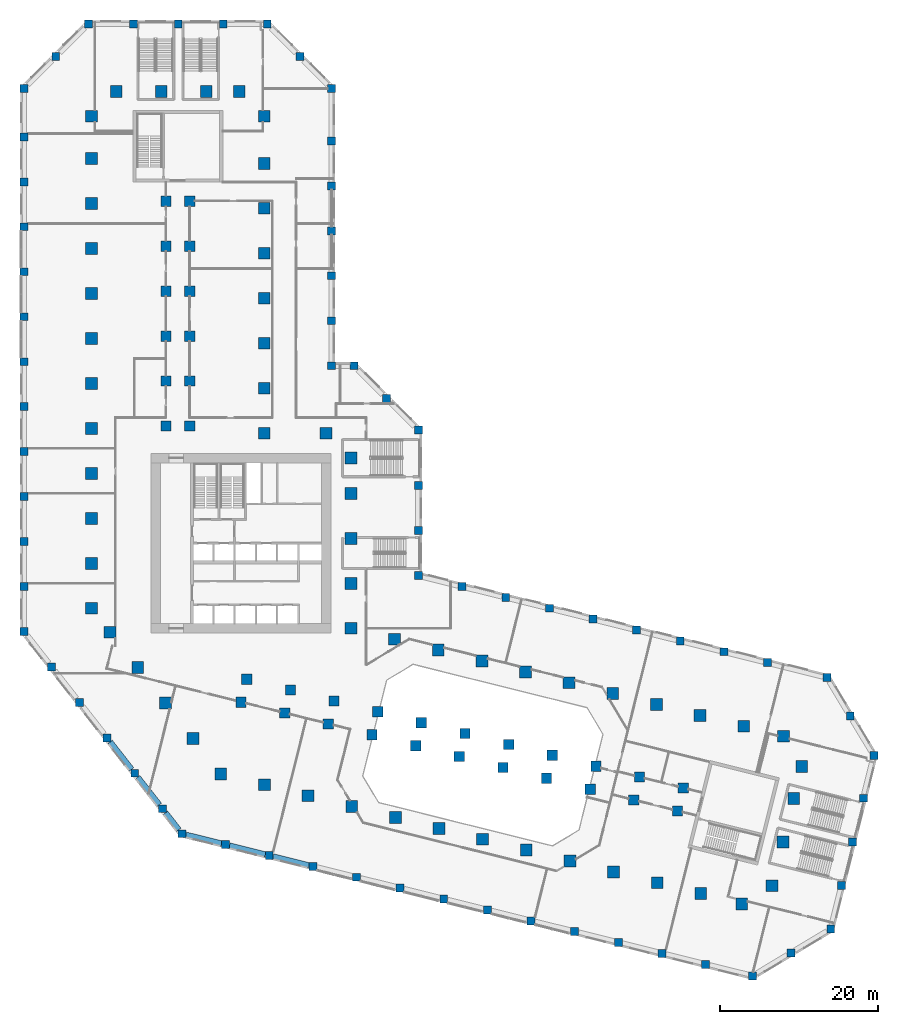
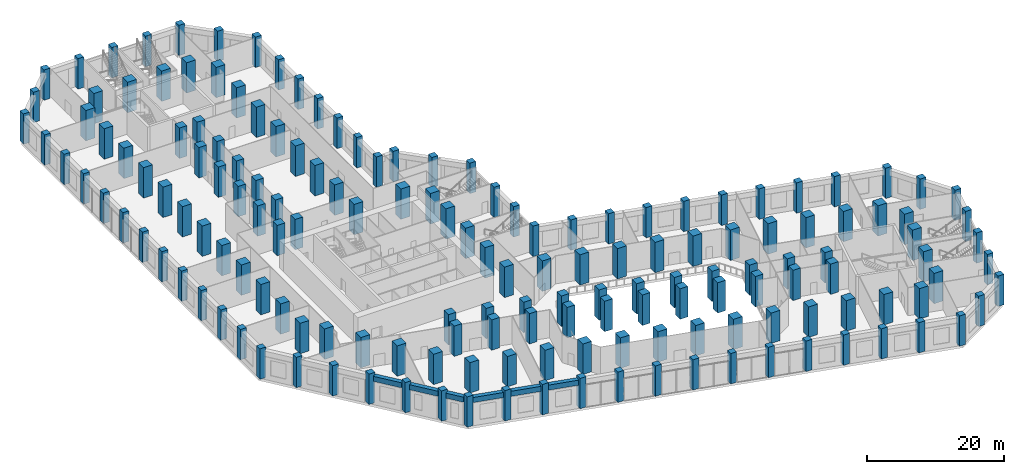
# One storey, part 1 of 23: 163 columns, 6 beams.
"""IFC4 building model written with IfcOpenShell, lengths in metres."""

import ifcopenshell
import ifcopenshell.guid

model = None  # the IFC model being written
_history = None  # IfcOwnerHistory: only IFC2X3 demands one
_inside = {}  # id of a spatial element -> (the spatial element, [elements in it])
_under = {}  # id of a project, library or spatial element -> (it, [spatial elements below it])
_declared = {}  # id of a project -> (the project, [libraries it declares])
_typed = {}  # id of a type object -> (the type object, [elements of that type])
_made_of = {}  # id of a material, layer set ... -> (it, [elements and type objects made of it])


def new_model(schema):
    """Start an empty IFC model of exactly this schema.

    Asked for "IFC4X3", IfcOpenShell would pick the latest addendum, in which some entities
    have other attributes; the version numbers below select the first issue.
    IFC2X3 requires an IfcOwnerHistory on every rooted entity: one is made here for all.
    """
    global model, _history
    if schema == "IFC4X3":
        model = ifcopenshell.file(schema_version=(4, 3, 0, 0))
    else:
        model = ifcopenshell.file(schema=schema)
    _inside.clear()
    _under.clear()
    _declared.clear()
    _typed.clear()
    _made_of.clear()
    _history = None
    if model.schema == "IFC2X3":
        org = make("IfcOrganization", Name="unknown")
        user = make(
            "IfcPersonAndOrganization",
            ThePerson=make("IfcPerson", FamilyName="unknown"),
            TheOrganization=org,
        )
        app = make(
            "IfcApplication",
            ApplicationDeveloper=org,
            Version="unknown",
            ApplicationFullName="unknown",
            ApplicationIdentifier="unknown",
        )
        _history = make(
            "IfcOwnerHistory",
            OwningUser=user,
            OwningApplication=app,
            ChangeAction="ADDED",
            CreationDate=0,
        )
    return model


def make(cls, **values):
    """One entity of the class cls with the attributes given. An attribute that is None is left unset."""
    return model.create_entity(
        cls, **{name: value for name, value in values.items() if value is not None}
    )


def rooted(cls, **values):
    """An entity with a GlobalId (a new one), such as an element, a storey or a relation."""
    return make(cls, GlobalId=ifcopenshell.guid.new(), OwnerHistory=_history, **values)


def si_unit(unit_type, name, prefix=None):
    """IfcSIUnit, for example si_unit("LENGTHUNIT", "METRE", prefix="MILLI")."""
    return make("IfcSIUnit", UnitType=unit_type, Prefix=prefix, Name=name)


def assignment(units):
    """IfcUnitAssignment: the units of a project."""
    return None if units is None else make("IfcUnitAssignment", Units=units)


def point(xyz):
    """IfcCartesianPoint."""
    return None if xyz is None else make("IfcCartesianPoint", Coordinates=xyz)


def direction(xyz):
    """IfcDirection."""
    return None if xyz is None else make("IfcDirection", DirectionRatios=xyz)


def frame(location, z_axis=None, x_axis=None):
    """IfcAxis2Placement3D, a coordinate frame: its origin and axes. An axis left out is left unset."""
    return make(
        "IfcAxis2Placement3D",
        Location=point(location),
        Axis=direction(z_axis),
        RefDirection=direction(x_axis),
    )


def frame_2d(location, x_axis=None):
    """IfcAxis2Placement2D, a coordinate frame in the plane: its origin and x axis."""
    return make(
        "IfcAxis2Placement2D", Location=point(location), RefDirection=direction(x_axis)
    )


def origin():
    """The frame at (0, 0, 0) with its axes left unset."""
    return frame((0.0, 0.0, 0.0))


def origin_2d():
    """The frame at (0, 0) in the plane with its x axis left unset."""
    return frame_2d((0.0, 0.0))


def place(relative_to, where):
    """IfcLocalPlacement: puts the frame where relative to a parent placement (None: the world)."""
    return make(
        "IfcLocalPlacement", PlacementRelTo=relative_to, RelativePlacement=where
    )


def context(
    kind, dimensions, precision=None, world=None, true_north=None, identifier=None
):
    """IfcGeometricRepresentationContext, for example the 3D "Model" context."""
    return make(
        "IfcGeometricRepresentationContext",
        ContextIdentifier=identifier,
        ContextType=kind,
        CoordinateSpaceDimension=dimensions,
        Precision=precision,
        WorldCoordinateSystem=world,
        TrueNorth=true_north,
    )


def subcontext(parent, identifier, kind, view, scale=None):
    """IfcGeometricRepresentationSubContext, for example "Body" below "Model"."""
    return make(
        "IfcGeometricRepresentationSubContext",
        ContextIdentifier=identifier,
        ContextType=kind,
        ParentContext=parent,
        TargetScale=scale,
        TargetView=view,
    )


def project(units=None, contexts=None):
    """IfcProject with its units and contexts."""
    return rooted(
        "IfcProject",
        Name="project",
        RepresentationContexts=contexts,
        UnitsInContext=assignment(units),
    )


def spatial(cls, under=None, at=None, **own):
    """A site, building, storey or space (cls), placed at a placement, below another one or the project."""
    s = rooted(cls, ObjectPlacement=at, **own)
    if under is not None:
        _under.setdefault(under.id(), (under, []))[1].append(s)
    return s


def profile(cls, at=None, kind="AREA", **sizes):
    """A parametric profile (cls). Its sizes go by their IFC names, for example OverallWidth=200.0."""
    return make(cls, ProfileType=kind, Position=at, **sizes)


def rectangle(**sizes):
    """IfcRectangleProfileDef."""
    return profile("IfcRectangleProfileDef", **sizes)


def extrude(swept, where, along, depth):
    """IfcExtrudedAreaSolid: the profile swept, set in the frame where, extruded along a direction by depth."""
    return make(
        "IfcExtrudedAreaSolid",
        SweptArea=swept,
        Position=where,
        ExtrudedDirection=direction(along),
        Depth=depth,
    )


def shape(context_of_items, identifier, shape_type, items):
    """IfcShapeRepresentation: the items that make up one representation, for example the "Body"."""
    return make(
        "IfcShapeRepresentation",
        ContextOfItems=context_of_items,
        RepresentationIdentifier=identifier,
        RepresentationType=shape_type,
        Items=items,
    )


def material(Name=None, Category=None):
    """IfcMaterial."""
    return make("IfcMaterial", Name=Name, Category=Category)


def material_profile(
    of_material, cross_section, Name=None, Category=None, Priority=None
):
    """IfcMaterialProfile: a cross section and its material."""
    return make(
        "IfcMaterialProfile",
        Name=Name,
        Material=of_material,
        Profile=cross_section,
        Priority=Priority,
        Category=Category,
    )


def profile_set(profiles, Name=None, composite=None):
    """IfcMaterialProfileSet."""
    return make(
        "IfcMaterialProfileSet",
        Name=Name,
        MaterialProfiles=profiles,
        CompositeProfile=composite,
    )


def made_of(thing, what):
    """Note that an element or type object is made of a material, layer set ...; save() writes the relation."""
    if what is not None:
        _made_of.setdefault(what.id(), (what, []))[1].append(thing)
    return thing


def type_object(cls, material=None, **own):
    """A type object (cls), such as IfcWallType, which elements share."""
    return made_of(rooted(cls, **own), material)


def element(
    cls,
    number,
    at=None,
    inside=None,
    cuts=None,
    type_object=None,
    material=None,
    context=None,
    identifier="Body",
    shape_type=None,
    held_by="IfcProductDefinitionShape",
    body=None,
    shapes=None,
    **own,
):
    """One element of the class cls, such as IfcWall. Its Tag is "e" and its number.

    at: its placement. inside: the storey or other place that contains it. cuts: it is an
    opening in that element (IfcRelVoidsElement). A single representation is given by context,
    identifier, shape_type and body (its items); several are given by shapes. held_by: the class
    of the entity that holds the representations. save() writes the other relations.
    """
    e = rooted(cls, Tag="e%d" % number, ObjectPlacement=at, **own)
    if body is not None:
        shapes = [shape(context, identifier, shape_type, body)]
    if shapes is not None:
        e.Representation = make(held_by, Representations=shapes)
    if inside is not None:
        _inside.setdefault(inside.id(), (inside, []))[1].append(e)
    if cuts is not None:
        rooted(
            "IfcRelVoidsElement", RelatingBuildingElement=cuts, RelatedOpeningElement=e
        )
    if type_object is not None:
        _typed.setdefault(type_object.id(), (type_object, []))[1].append(e)
    return made_of(e, material)


def aggregate(whole, parts):
    """IfcRelAggregates: a whole, such as a stair, and the parts it consists of."""
    return rooted("IfcRelAggregates", RelatingObject=whole, RelatedObjects=parts)


def save(model, path):
    """Write the relations noted so far, then the file.

    IfcRelAggregates (storeys below a building ...), IfcRelContainedInSpatialStructure (elements
    in a storey), IfcRelDefinesByType, IfcRelAssociatesMaterial and IfcRelDeclares: one each for
    every whole, place, type object, material and project.
    """
    for whole, parts in _under.values():
        aggregate(whole, parts)
    for where, things in _inside.values():
        rooted(
            "IfcRelContainedInSpatialStructure",
            RelatedElements=things,
            RelatingStructure=where,
        )
    for kind, things in _typed.values():
        rooted("IfcRelDefinesByType", RelatedObjects=things, RelatingType=kind)
    for what, things in _made_of.values():
        rooted("IfcRelAssociatesMaterial", RelatedObjects=things, RelatingMaterial=what)
    for by, libraries in _declared.values():
        rooted("IfcRelDeclares", RelatingContext=by, RelatedDefinitions=libraries)
    model.write(path)


model = new_model("IFC4")

# Units and contexts
model_context = context("Model", 3, precision=1e-05, world=origin(), true_north=direction((0.0, 1.0)))
body_context = subcontext(model_context, "Body", "Model", "MODEL_VIEW")
ifc_project = project(units=[si_unit("LENGTHUNIT", "METRE"), si_unit("AREAUNIT", "SQUARE_METRE"), si_unit("VOLUMEUNIT", "CUBIC_METRE"), si_unit("PLANEANGLEUNIT", "RADIAN"), si_unit("MASSUNIT", "GRAM", prefix="KILO")], contexts=[model_context])

# Site, building, storey
site_placement = place(None, origin())
site = spatial("IfcSite", under=ifc_project, at=site_placement, CompositionType="ELEMENT")
building_placement = place(site_placement, origin())
building = spatial("IfcBuilding", under=site, at=building_placement, Name="Meshkara Civic Tower", CompositionType="ELEMENT")
storey_placement = place(building_placement, frame((0.0, 0.0, 7.199951171875)))
storey = spatial("IfcBuildingStorey", under=building, at=storey_placement, Name="L01", CompositionType="ELEMENT", Elevation=7.199951171875)

# Columns
ifc_material_1 = material(Name="Concrete C80", Category="concrete")
ifc_material_profile_1 = material_profile(ifc_material_1, rectangle(XDim=1.300048828125, YDim=1.300048828125, at=origin_2d()))
ifc_profile_set_1 = profile_set([ifc_material_profile_1], Name="Concrete C80")
column_type_1 = type_object("IfcColumnType", Name="Interior column RC 1300x1300 C80", PredefinedType="COLUMN", material=ifc_profile_set_1)
for number, where, z_axis, x_axis, name in (
    (1, (9.89990234375, 40.35009765625, 0.0), (0.0, 0.0, 1.0), (1.0, 0.0, 0.0), "Column SA1-04 L01"),
    (2, (9.89990234375, 46.050048828125, 0.0), (0.0, 0.0, 1.0), (1.0, 0.0, 0.0), "Column SA1-05 L01"),
    (3, (9.89990234375, 51.75, 0.0), (0.0, 0.0, 1.0), (1.0, 0.0, 0.0), "Column SA1-06 L01"),
    (4, (9.89990234375, 57.449951171875, 0.0), (0.0, 0.0, 1.0), (1.0, 0.0, 0.0), "Column SA1-07 L01"),
    (5, (9.89990234375, 63.14990234375, 0.0), (0.0, 0.0, 1.0), (1.0, 0.0, 0.0), "Column SA1-08 L01"),
    (6, (9.89990234375, 68.85009765625, 0.0), (0.0, 0.0, 1.0), (1.0, 0.0, 0.0), "Column SA1-09 L01"),
    (7, (12.89990234375, 40.35009765625, 0.0), (0.0, 0.0, 1.0), (1.0, 0.0, 0.0), "Column SA2-04 L01"),
    (8, (12.89990234375, 46.050048828125, 0.0), (0.0, 0.0, 1.0), (1.0, 0.0, 0.0), "Column SA2-05 L01"),
    (9, (12.89990234375, 51.75, 0.0), (0.0, 0.0, 1.0), (1.0, 0.0, 0.0), "Column SA2-06 L01"),
    (10, (12.89990234375, 57.449951171875, 0.0), (0.0, 0.0, 1.0), (1.0, 0.0, 0.0), "Column SA2-07 L01"),
    (11, (12.89990234375, 63.14990234375, 0.0), (0.0, 0.0, 1.0), (1.0, 0.0, 0.0), "Column SA2-08 L01"),
    (12, (12.89990234375, 68.85009765625, 0.0), (0.0, 0.0, 1.0), (1.0, 0.0, 0.0), "Column SA2-09 L01"),
    (13, (19.424072265625, 5.360107421875, 0.0), (0.0, 0.0, 1.0), (1.0, 0.0, 0.0), "Column SB1-00 L01"),
    (14, (24.9541015625, 3.98095703125, 0.0), (0.0, 0.0, 1.0), (1.0, 0.0, 0.0), "Column SB1-01 L01"),
    (15, (30.485107421875, 2.60205078125, 0.0), (0.0, 0.0, 1.0), (1.0, 0.0, 0.0), "Column SB1-02 L01"),
    (16, (36.01611328125, 1.222900390625, 0.0), (0.0, 0.0, 1.0), (1.0, 0.0, 0.0), "Column SB1-03 L01"),
    (17, (41.5458984375, -0.156005859375, 0.0), (0.0, 0.0, 1.0), (1.0, 0.0, 0.0), "Column SB1-04 L01"),
    (18, (47.076904296875, -1.534912109375, 0.0), (0.0, 0.0, 1.0), (1.0, 0.0, 0.0), "Column SB1-05 L01"),
    (19, (52.60791015625, -2.9140625, 0.0), (0.0, 0.0, 1.0), (1.0, 0.0, 0.0), "Column SB1-06 L01"),
    (20, (58.138916015625, -4.2919921875, 0.0), (0.0, 0.0, 1.0), (1.0, 0.0, 0.0), "Column SB1-07 L01"),
    (21, (63.6689453125, -5.6708984375, 0.0), (0.0, 0.0, 1.0), (1.0, 0.0, 0.0), "Column SB1-08 L01"),
    (22, (69.199951171875, -7.050048828125, 0.0), (0.0, 0.0, 1.0), (1.0, 0.0, 0.0), "Column SB1-09 L01"),
    (23, (74.73095703125, -8.428955078125, 0.0), (0.0, 0.0, 1.0), (1.0, 0.0, 0.0), "Column SB1-10 L01"),
    (24, (20.14892578125, 8.27099609375, 0.0), (0.0, 0.0, 1.0), (1.0, 0.0, 0.0), "Column SB2-00 L01"),
    (25, (25.679931640625, 6.89208984375, 0.0), (0.0, 0.0, 1.0), (1.0, 0.0, 0.0), "Column SB2-01 L01"),
    (26, (31.2109375, 5.512939453125, 0.0), (0.0, 0.0, 1.0), (1.0, 0.0, 0.0), "Column SB2-02 L01"),
    (27, (36.741943359375, 4.134033203125, 0.0), (0.0, 0.0, 1.0), (1.0, 0.0, 0.0), "Column SB2-03 L01"),
    (28, (42.27197265625, 2.7548828125, 0.0), (0.0, 0.0, 1.0), (1.0, 0.0, 0.0), "Column SB2-04 L01"),
    (29, (47.802978515625, 1.3759765625, 0.0), (0.0, 0.0, 1.0), (1.0, 0.0, 0.0), "Column SB2-05 L01"),
    (30, (53.333984375, -0.0029296875, 0.0), (0.0, 0.0, 1.0), (1.0, 0.0, 0.0), "Column SB2-06 L01"),
    (31, (58.864013671875, -1.382080078125, 0.0), (0.0, 0.0, 1.0), (1.0, 0.0, 0.0), "Column SB2-07 L01"),
    (32, (64.39501953125, -2.760986328125, 0.0), (0.0, 0.0, 1.0), (1.0, 0.0, 0.0), "Column SB2-08 L01"),
    (33, (69.926025390625, -4.139892578125, 0.0), (0.0, 0.0, 1.0), (1.0, 0.0, 0.0), "Column SB2-09 L01"),
    (34, (75.4560546875, -5.51806640625, 0.0), (0.0, 0.0, 1.0), (1.0, 0.0, 0.0), "Column SB2-10 L01"),
):
    element("IfcColumn", number, at=place(storey_placement, frame(where, z_axis=z_axis, x_axis=x_axis)), inside=storey, type_object=column_type_1, Name=name, PredefinedType="COLUMN", context=body_context, shape_type="SweptSolid", body=[
        extrude(rectangle(XDim=1.300048828125, YDim=1.300048828125, at=origin_2d()), origin(), (0.0, 0.0, 1.0), 5.400146484375),
    ])
ifc_material_2 = material(Name="Concrete C80", Category="concrete")
ifc_material_profile_2 = material_profile(ifc_material_2, rectangle(XDim=1.5, YDim=1.5, at=origin_2d()))
ifc_profile_set_2 = profile_set([ifc_material_profile_2], Name="Concrete C80")
column_type_2 = type_object("IfcColumnType", Name="Perimeter column RC 1500x1500 C80", PredefinedType="COLUMN", material=ifc_profile_set_2)
for number, where, z_axis, x_axis, name in (
    (35, (33.35009765625, 14.718994140625, 0.0), (0.0, 0.0, 1.0), (1.0, 0.0, 0.0), "Column HE00 L01"),
    (36, (33.35009765625, 20.4189453125, 0.0), (0.0, 0.0, 1.0), (1.0, 0.0, 0.0), "Column HE01 L01"),
    (37, (33.35009765625, 26.118896484375, 0.0), (0.0, 0.0, 1.0), (1.0, 0.0, 0.0), "Column HE02 L01"),
    (38, (33.35009765625, 31.819091796875, 0.0), (0.0, 0.0, 1.0), (1.0, 0.0, 0.0), "Column HE03 L01"),
    (39, (33.35009765625, 36.2939453125, 0.0), (0.0, 0.0, 1.0), (1.0, 0.0, 0.0), "Column HEE L01"),
    (40, (30.194091796875, 39.449951171875, 0.0), (0.0, 0.0, 1.0), (1.0, 0.0, 0.0), "Column HCeE L01"),
    (41, (22.35009765625, 39.449951171875, 0.0), (0.0, 0.0, 1.0), (1.0, 0.0, 0.0), "Column HN00 L01"),
    (42, (22.35009765625, 45.14990234375, 0.0), (0.0, 0.0, 1.0), (1.0, 0.0, 0.0), "Column AE01 L01"),
    (43, (22.35009765625, 50.85009765625, 0.0), (0.0, 0.0, 1.0), (1.0, 0.0, 0.0), "Column AE02 L01"),
    (44, (22.35009765625, 56.550048828125, 0.0), (0.0, 0.0, 1.0), (1.0, 0.0, 0.0), "Column AE03 L01"),
    (45, (22.35009765625, 62.25, 0.0), (0.0, 0.0, 1.0), (1.0, 0.0, 0.0), "Column AE04 L01"),
    (46, (22.35009765625, 67.949951171875, 0.0), (0.0, 0.0, 1.0), (1.0, 0.0, 0.0), "Column AE05 L01"),
    (47, (22.35009765625, 73.64990234375, 0.0), (0.0, 0.0, 1.0), (1.0, 0.0, 0.0), "Column AE06 L01"),
    (48, (22.35009765625, 79.614013671875, 0.0), (0.0, 0.0, 1.0), (1.0, 0.0, 0.0), "Column AEE L01"),
    (49, (19.194091796875, 82.77001953125, 0.0), (0.0, 0.0, 1.0), (1.0, 0.0, 0.0), "Column ATiE L01"),
    (50, (3.60595703125, 82.77001953125, 0.0), (0.0, 0.0, 1.0), (1.0, 0.0, 0.0), "Column AT00 L01"),
    (51, (9.305908203125, 82.77001953125, 0.0), (0.0, 0.0, 1.0), (1.0, 0.0, 0.0), "Column AT01 L01"),
    (52, (15.006103515625, 82.77001953125, 0.0), (0.0, 0.0, 1.0), (1.0, 0.0, 0.0), "Column AT02 L01"),
    (53, (0.449951171875, 79.614013671875, 0.0), (0.0, 0.0, 1.0), (1.0, 0.0, 0.0), "Column ATo00 L01"),
    (54, (0.449951171875, 17.2548828125, 0.0), (0.0, 0.0, 1.0), (1.0, 0.0, 0.0), "Column AW00 L01"),
    (55, (0.449951171875, 22.955078125, 0.0), (0.0, 0.0, 1.0), (1.0, 0.0, 0.0), "Column AW01 L01"),
    (56, (0.449951171875, 28.655029296875, 0.0), (0.0, 0.0, 1.0), (1.0, 0.0, 0.0), "Column AW02 L01"),
    (57, (0.449951171875, 34.35498046875, 0.0), (0.0, 0.0, 1.0), (1.0, 0.0, 0.0), "Column AW03 L01"),
    (58, (0.449951171875, 40.054931640625, 0.0), (0.0, 0.0, 1.0), (1.0, 0.0, 0.0), "Column AW04 L01"),
    (59, (0.449951171875, 45.7548828125, 0.0), (0.0, 0.0, 1.0), (1.0, 0.0, 0.0), "Column AW05 L01"),
    (60, (0.449951171875, 51.455078125, 0.0), (0.0, 0.0, 1.0), (1.0, 0.0, 0.0), "Column AW06 L01"),
    (61, (0.449951171875, 57.155029296875, 0.0), (0.0, 0.0, 1.0), (1.0, 0.0, 0.0), "Column AW07 L01"),
    (62, (0.449951171875, 62.85498046875, 0.0), (0.0, 0.0, 1.0), (1.0, 0.0, 0.0), "Column AW08 L01"),
    (63, (0.449951171875, 68.554931640625, 0.0), (0.0, 0.0, 1.0), (1.0, 0.0, 0.0), "Column AW09 L01"),
    (64, (0.449951171875, 74.2548828125, 0.0), (0.0, 0.0, 1.0), (1.0, 0.0, 0.0), "Column AW10 L01"),
    (65, (16.85107421875, -3.738037109375, 0.0), (0.0, 0.0, 1.0), (1.0, 0.0, 0.0), "Column BOW00 L01"),
    (66, (13.342041015625, 0.75390625, 0.0), (0.0, 0.0, 1.0), (1.0, 0.0, 0.0), "Column BOW01 L01"),
    (67, (9.8330078125, 5.2451171875, 0.0), (0.0, 0.0, 1.0), (1.0, 0.0, 0.0), "Column BOW02 L01"),
    (68, (6.322998046875, 9.737060546875, 0.0), (0.0, 0.0, 1.0), (1.0, 0.0, 0.0), "Column BOW03 L01"),
    (69, (2.81396484375, 14.22900390625, 0.0), (0.0, 0.0, 1.0), (1.0, 0.0, 0.0), "Column BOW04 L01"),
    (70, (22.382080078125, -5.116943359375, 0.0), (0.0, 0.0, 1.0), (1.0, 0.0, 0.0), "Column BS01 L01"),
    (71, (27.912109375, -6.49609375, 0.0), (0.0, 0.0, 1.0), (1.0, 0.0, 0.0), "Column BS02 L01"),
    (72, (33.443115234375, -7.875, 0.0), (0.0, 0.0, 1.0), (1.0, 0.0, 0.0), "Column BS03 L01"),
    (73, (38.97412109375, -9.25390625, 0.0), (0.0, 0.0, 1.0), (1.0, 0.0, 0.0), "Column BS04 L01"),
    (74, (44.5048828125, -10.632080078125, 0.0), (0.0, 0.0, 1.0), (1.0, 0.0, 0.0), "Column BS05 L01"),
    (75, (50.034912109375, -12.010986328125, 0.0), (0.0, 0.0, 1.0), (1.0, 0.0, 0.0), "Column BS06 L01"),
    (76, (55.56591796875, -13.389892578125, 0.0), (0.0, 0.0, 1.0), (1.0, 0.0, 0.0), "Column BS07 L01"),
    (77, (61.096923828125, -14.76904296875, 0.0), (0.0, 0.0, 1.0), (1.0, 0.0, 0.0), "Column BS08 L01"),
    (78, (66.626953125, -16.14794921875, 0.0), (0.0, 0.0, 1.0), (1.0, 0.0, 0.0), "Column BS09 L01"),
    (79, (72.157958984375, -17.527099609375, 0.0), (0.0, 0.0, 1.0), (1.0, 0.0, 0.0), "Column BS10 L01"),
    (80, (77.68896484375, -18.906005859375, 0.0), (0.0, 0.0, 1.0), (1.0, 0.0, 0.0), "Column BS11 L01"),
    (81, (82.887939453125, -20.201904296875, 0.0), (0.0, 0.0, 1.0), (1.0, 0.0, 0.0), "Column BSE L01"),
    (82, (86.714111328125, -17.903076171875, 0.0), (0.0, 0.0, 1.0), (1.0, 0.0, 0.0), "Column BToE L01"),
    (83, (88.093017578125, -12.3720703125, 0.0), (0.0, 0.0, 1.0), (1.0, 0.0, 0.0), "Column BT01 L01"),
    (84, (89.471923828125, -6.842041015625, 0.0), (0.0, 0.0, 1.0), (1.0, 0.0, 0.0), "Column BT02 L01"),
    (85, (90.485107421875, -2.779052734375, 0.0), (0.0, 0.0, 1.0), (1.0, 0.0, 0.0), "Column BTE L01"),
    (86, (88.18603515625, 1.0458984375, 0.0), (0.0, 0.0, 1.0), (1.0, 0.0, 0.0), "Column BTi00 L01"),
    (87, (38.881103515625, 13.340087890625, 0.0), (0.0, 0.0, 1.0), (1.0, 0.0, 0.0), "Column BN01 L01"),
    (88, (44.410888671875, 11.9609375, 0.0), (0.0, 0.0, 1.0), (1.0, 0.0, 0.0), "Column BN02 L01"),
    (89, (49.94189453125, 10.58203125, 0.0), (0.0, 0.0, 1.0), (1.0, 0.0, 0.0), "Column BN03 L01"),
    (90, (55.472900390625, 9.202880859375, 0.0), (0.0, 0.0, 1.0), (1.0, 0.0, 0.0), "Column BN04 L01"),
    (91, (61.0029296875, 7.823974609375, 0.0), (0.0, 0.0, 1.0), (1.0, 0.0, 0.0), "Column BN05 L01"),
    (92, (66.533935546875, 6.445068359375, 0.0), (0.0, 0.0, 1.0), (1.0, 0.0, 0.0), "Column BN06 L01"),
    (93, (72.06494140625, 5.06591796875, 0.0), (0.0, 0.0, 1.0), (1.0, 0.0, 0.0), "Column BN07 L01"),
    (94, (77.594970703125, 3.68701171875, 0.0), (0.0, 0.0, 1.0), (1.0, 0.0, 0.0), "Column BN08 L01"),
    (95, (83.1259765625, 2.30810546875, 0.0), (0.0, 0.0, 1.0), (1.0, 0.0, 0.0), "Column BN09 L01"),
):
    element("IfcColumn", number, at=place(storey_placement, frame(where, z_axis=z_axis, x_axis=x_axis)), inside=storey, type_object=column_type_2, Name=name, PredefinedType="COLUMN", context=body_context, shape_type="SweptSolid", body=[
        extrude(rectangle(XDim=1.5, YDim=1.5, at=origin_2d()), origin(), (0.0, 0.0, 1.0), 5.400146484375),
    ])
ifc_material_3 = material(Name="Concrete C60", Category="concrete")
ifc_material_profile_3 = material_profile(ifc_material_3, rectangle(XDim=1.0, YDim=1.0, at=origin_2d()))
ifc_profile_set_3 = profile_set([ifc_material_profile_3], Name="Concrete C60")
column_type_3 = type_object("IfcColumnType", Name="Podium edge column RC 1000x1000 C60", PredefinedType="COLUMN", material=ifc_profile_set_3)
for number, where, z_axis, x_axis, name in (
    (96, (0.06396484375, 91.320068359375, 0.0), (0.0, 0.0, 1.0), (1.0, 0.0, 0.0), "Column PD00-00 L01"),
    (97, (5.763916015625, 91.320068359375, 0.0), (0.0, 0.0, 1.0), (1.0, 0.0, 0.0), "Column PD00-01 L01"),
    (98, (11.464111328125, 91.320068359375, 0.0), (0.0, 0.0, 1.0), (1.0, 0.0, 0.0), "Column PD00-02 L01"),
    (99, (17.1640625, 91.320068359375, 0.0), (0.0, 0.0, 1.0), (1.0, 0.0, 0.0), "Column PD00-03 L01"),
    (100, (22.736083984375, 91.320068359375, 0.0), (0.0, 0.0, 1.0), (1.0, 0.0, 0.0), "Column PD00-E L01"),
    (101, (-8.10009765625, 83.156005859375, 0.0), (0.0, 0.0, 1.0), (1.0, 0.0, 0.0), "Column PD01-00 L01"),
    (102, (-4.069091796875, 87.18701171875, 0.0), (0.0, 0.0, 1.0), (1.0, 0.0, 0.0), "Column PD01-01 L01"),
    (103, (-8.10009765625, 14.31103515625, 0.0), (0.0, 0.0, 1.0), (1.0, 0.0, 0.0), "Column PD02-00 L01"),
    (104, (-8.10009765625, 20.010986328125, 0.0), (0.0, 0.0, 1.0), (1.0, 0.0, 0.0), "Column PD02-01 L01"),
    (105, (-8.10009765625, 25.7109375, 0.0), (0.0, 0.0, 1.0), (1.0, 0.0, 0.0), "Column PD02-02 L01"),
    (106, (-8.10009765625, 31.410888671875, 0.0), (0.0, 0.0, 1.0), (1.0, 0.0, 0.0), "Column PD02-03 L01"),
    (107, (-8.10009765625, 37.111083984375, 0.0), (0.0, 0.0, 1.0), (1.0, 0.0, 0.0), "Column PD02-04 L01"),
    (108, (-8.10009765625, 42.81103515625, 0.0), (0.0, 0.0, 1.0), (1.0, 0.0, 0.0), "Column PD02-05 L01"),
    (109, (-8.10009765625, 48.510986328125, 0.0), (0.0, 0.0, 1.0), (1.0, 0.0, 0.0), "Column PD02-06 L01"),
    (110, (-8.10009765625, 54.2109375, 0.0), (0.0, 0.0, 1.0), (1.0, 0.0, 0.0), "Column PD02-07 L01"),
    (111, (-8.10009765625, 59.910888671875, 0.0), (0.0, 0.0, 1.0), (1.0, 0.0, 0.0), "Column PD02-08 L01"),
    (112, (-8.10009765625, 65.611083984375, 0.0), (0.0, 0.0, 1.0), (1.0, 0.0, 0.0), "Column PD02-09 L01"),
    (113, (-8.10009765625, 71.31103515625, 0.0), (0.0, 0.0, 1.0), (1.0, 0.0, 0.0), "Column PD02-10 L01"),
    (114, (-8.10009765625, 77.010986328125, 0.0), (0.0, 0.0, 1.0), (1.0, 0.0, 0.0), "Column PD02-11 L01"),
    (115, (-4.591064453125, 9.819091796875, 0.0), (0.0, 0.0, 1.0), (1.0, 0.0, 0.0), "Column PD03-01 L01"),
    (116, (-1.08203125, 5.327880859375, 0.0), (0.0, 0.0, 1.0), (1.0, 0.0, 0.0), "Column PD03-02 L01"),
    (117, (2.427978515625, 0.8359375, 0.0), (0.0, 0.0, 1.0), (1.0, 0.0, 0.0), "Column PD03-03 L01"),
    (118, (5.93701171875, -3.656005859375, 0.0), (0.0, 0.0, 1.0), (1.0, 0.0, 0.0), "Column PD03-04 L01"),
    (119, (9.446044921875, -8.14794921875, 0.0), (0.0, 0.0, 1.0), (1.0, 0.0, 0.0), "Column PD03-05 L01"),
    (120, (11.926025390625, -11.322021484375, 0.0), (0.0, 0.0, 1.0), (1.0, 0.0, 0.0), "Column PD03-E L01"),
    (121, (17.45703125, -12.700927734375, 0.0), (0.0, 0.0, 1.0), (1.0, 0.0, 0.0), "Column PD04-01 L01"),
    (122, (22.987060546875, -14.080078125, 0.0), (0.0, 0.0, 1.0), (1.0, 0.0, 0.0), "Column PD04-02 L01"),
    (123, (28.51806640625, -15.458984375, 0.0), (0.0, 0.0, 1.0), (1.0, 0.0, 0.0), "Column PD04-03 L01"),
    (124, (34.049072265625, -16.837890625, 0.0), (0.0, 0.0, 1.0), (1.0, 0.0, 0.0), "Column PD04-04 L01"),
    (125, (39.580078125, -18.216064453125, 0.0), (0.0, 0.0, 1.0), (1.0, 0.0, 0.0), "Column PD04-05 L01"),
    (126, (45.110107421875, -19.594970703125, 0.0), (0.0, 0.0, 1.0), (1.0, 0.0, 0.0), "Column PD04-06 L01"),
    (127, (50.64111328125, -20.97412109375, 0.0), (0.0, 0.0, 1.0), (1.0, 0.0, 0.0), "Column PD04-07 L01"),
    (128, (56.172119140625, -22.35302734375, 0.0), (0.0, 0.0, 1.0), (1.0, 0.0, 0.0), "Column PD04-08 L01"),
    (129, (61.701904296875, -23.73193359375, 0.0), (0.0, 0.0, 1.0), (1.0, 0.0, 0.0), "Column PD04-09 L01"),
    (130, (67.23291015625, -25.111083984375, 0.0), (0.0, 0.0, 1.0), (1.0, 0.0, 0.0), "Column PD04-10 L01"),
    (131, (72.763916015625, -26.489990234375, 0.0), (0.0, 0.0, 1.0), (1.0, 0.0, 0.0), "Column PD04-11 L01"),
    (132, (78.2939453125, -27.868896484375, 0.0), (0.0, 0.0, 1.0), (1.0, 0.0, 0.0), "Column PD04-12 L01"),
    (133, (84.256103515625, -29.35498046875, 0.0), (0.0, 0.0, 1.0), (1.0, 0.0, 0.0), "Column PD04-E L01"),
    (134, (89.14208984375, -26.4189453125, 0.0), (0.0, 0.0, 1.0), (1.0, 0.0, 0.0), "Column PD05-01 L01"),
    (135, (94.153076171875, -23.407958984375, 0.0), (0.0, 0.0, 1.0), (1.0, 0.0, 0.0), "Column PD05-E L01"),
    (136, (95.531982421875, -17.876953125, 0.0), (0.0, 0.0, 1.0), (1.0, 0.0, 0.0), "Column PD06-01 L01"),
    (137, (96.910888671875, -12.346923828125, 0.0), (0.0, 0.0, 1.0), (1.0, 0.0, 0.0), "Column PD06-02 L01"),
    (138, (98.2900390625, -6.81591796875, 0.0), (0.0, 0.0, 1.0), (1.0, 0.0, 0.0), "Column PD06-03 L01"),
    (139, (99.637939453125, -1.410888671875, 0.0), (0.0, 0.0, 1.0), (1.0, 0.0, 0.0), "Column PD06-E L01"),
    (140, (93.68994140625, 8.485107421875, 0.0), (0.0, 0.0, 1.0), (1.0, 0.0, 0.0), "Column PD07-00 L01"),
    (141, (96.6259765625, 3.60009765625, 0.0), (0.0, 0.0, 1.0), (1.0, 0.0, 0.0), "Column PD07-01 L01"),
    (142, (41.89990234375, 21.39892578125, 0.0), (0.0, 0.0, 1.0), (1.0, 0.0, 0.0), "Column PD08-00 L01"),
    (143, (47.430908203125, 20.02001953125, 0.0), (0.0, 0.0, 1.0), (1.0, 0.0, 0.0), "Column PD08-01 L01"),
    (144, (52.9609375, 18.64111328125, 0.0), (0.0, 0.0, 1.0), (1.0, 0.0, 0.0), "Column PD08-02 L01"),
    (145, (58.491943359375, 17.261962890625, 0.0), (0.0, 0.0, 1.0), (1.0, 0.0, 0.0), "Column PD08-03 L01"),
    (146, (64.02294921875, 15.883056640625, 0.0), (0.0, 0.0, 1.0), (1.0, 0.0, 0.0), "Column PD08-04 L01"),
    (147, (69.552978515625, 14.50390625, 0.0), (0.0, 0.0, 1.0), (1.0, 0.0, 0.0), "Column PD08-05 L01"),
    (148, (75.083984375, 13.1240234375, 0.0), (0.0, 0.0, 1.0), (1.0, 0.0, 0.0), "Column PD08-06 L01"),
    (149, (80.614990234375, 11.7451171875, 0.0), (0.0, 0.0, 1.0), (1.0, 0.0, 0.0), "Column PD08-07 L01"),
    (150, (86.14501953125, 10.365966796875, 0.0), (0.0, 0.0, 1.0), (1.0, 0.0, 0.0), "Column PD08-08 L01"),
    (151, (41.89990234375, 27.09912109375, 0.0), (0.0, 0.0, 1.0), (1.0, 0.0, 0.0), "Column PD09-01 L01"),
    (152, (41.89990234375, 32.799072265625, 0.0), (0.0, 0.0, 1.0), (1.0, 0.0, 0.0), "Column PD09-02 L01"),
    (153, (41.89990234375, 39.8359375, 0.0), (0.0, 0.0, 1.0), (1.0, 0.0, 0.0), "Column PD09-E L01"),
    (154, (37.868896484375, 43.866943359375, 0.0), (0.0, 0.0, 1.0), (1.0, 0.0, 0.0), "Column PD10-01 L01"),
    (155, (33.736083984375, 48.0, 0.0), (0.0, 0.0, 1.0), (1.0, 0.0, 0.0), "Column PD10-E L01"),
    (156, (30.89990234375, 48.0, 0.0), (0.0, 0.0, 1.0), (1.0, 0.0, 0.0), "Column PD11-00 L01"),
    (157, (30.89990234375, 53.699951171875, 0.0), (0.0, 0.0, 1.0), (1.0, 0.0, 0.0), "Column PD12-01 L01"),
    (158, (30.89990234375, 59.39990234375, 0.0), (0.0, 0.0, 1.0), (1.0, 0.0, 0.0), "Column PD12-02 L01"),
    (159, (30.89990234375, 65.10009765625, 0.0), (0.0, 0.0, 1.0), (1.0, 0.0, 0.0), "Column PD12-03 L01"),
    (160, (30.89990234375, 70.800048828125, 0.0), (0.0, 0.0, 1.0), (1.0, 0.0, 0.0), "Column PD12-04 L01"),
    (161, (30.89990234375, 76.5, 0.0), (0.0, 0.0, 1.0), (1.0, 0.0, 0.0), "Column PD12-05 L01"),
    (162, (30.89990234375, 83.156005859375, 0.0), (0.0, 0.0, 1.0), (1.0, 0.0, 0.0), "Column PD12-E L01"),
    (163, (26.868896484375, 87.18701171875, 0.0), (0.0, 0.0, 1.0), (1.0, 0.0, 0.0), "Column PD13-01 L01"),
):
    element("IfcColumn", number, at=place(storey_placement, frame(where, z_axis=z_axis, x_axis=x_axis)), inside=storey, type_object=column_type_3, Name=name, PredefinedType="COLUMN", context=body_context, shape_type="SweptSolid", body=[
        extrude(rectangle(XDim=1.0, YDim=1.0, at=origin_2d()), origin(), (0.0, 0.0, 1.0), 5.400146484375),
    ])

# Beams
ifc_material_4 = material(Name="Concrete C60", Category="concrete")
ifc_material_profile_4 = material_profile(ifc_material_4, rectangle(XDim=0.699951171875, YDim=0.89990234375, at=origin_2d()))
ifc_profile_set_4 = profile_set([ifc_material_profile_4], Name="Concrete C60")
beam_type = type_object("IfcBeamType", Name="Spandrel beam RC 700x900 C60", PredefinedType="BEAM", material=ifc_profile_set_4)
for number, where, z_axis, x_axis, name in (
    (164, (2.8154296875, 0.33984375, 4.5), (0.615636574491, -0.788030207637, 0.0), (0.788030207637, 0.615636574491, 0.0), "Spandrel beam PD03-03-PD03-04"),
    (165, (6.324462890625, -4.152099609375, 4.5), (0.615636574491, -0.788030207637, 0.0), (0.788030207637, 0.615636574491, 0.0), "Spandrel beam PD03-04-PD03-05"),
):
    element("IfcBeam", number, at=place(storey_placement, frame(where, z_axis=z_axis, x_axis=x_axis)), inside=storey, type_object=beam_type, Name=name, PredefinedType="BEAM", context=body_context, shape_type="SweptSolid", body=[
        extrude(rectangle(XDim=0.699951171875, YDim=0.89990234375, at=origin_2d()), origin(), (0.0, 0.0, 1.0), 4.441162109375),
    ])
beam_1_placement = place(storey_placement, frame((9.83349609375, -8.64404296875, 4.5), z_axis=(0.615697082111, -0.787982933242, 0.0), x_axis=(0.787982933242, 0.615697082111, 0.0)))
element("IfcBeam", 166, at=beam_1_placement, inside=storey, type_object=beam_type, Name="Spandrel beam PD03-05-PD03-E", PredefinedType="BEAM", context=body_context, shape_type="SweptSolid", body=[
    extrude(rectangle(XDim=0.699951171875, YDim=0.89990234375, at=origin_2d()), origin(), (0.0, 0.0, 1.0), 2.76904296875),
])
beam_2_placement = place(storey_placement, frame((12.421142578125, -11.445556640625, 4.5), z_axis=(0.970311050729, -0.24186042428, 0.0), x_axis=(0.24186042428, 0.970311050729, 0.0)))
element("IfcBeam", 167, at=beam_2_placement, inside=storey, type_object=beam_type, Name="Spandrel beam PD03-E-PD04-01", PredefinedType="BEAM", context=body_context, shape_type="SweptSolid", body=[
    extrude(rectangle(XDim=0.699951171875, YDim=0.89990234375, at=origin_2d()), origin(), (0.0, 0.0, 1.0), 4.6796875),
])
beam_3_placement = place(storey_placement, frame((17.9521484375, -12.824462890625, 4.5), z_axis=(0.970286590806, -0.241958533023, 0.0), x_axis=(0.241958533023, 0.970286590806, 0.0)))
element("IfcBeam", 168, at=beam_3_placement, inside=storey, type_object=beam_type, Name="Spandrel beam PD04-01-PD04-02", PredefinedType="BEAM", context=body_context, shape_type="SweptSolid", body=[
    extrude(rectangle(XDim=0.699951171875, YDim=0.89990234375, at=origin_2d()), origin(), (0.0, 0.0, 1.0), 4.6787109375),
])
beam_4_placement = place(storey_placement, frame((23.482177734375, -14.20361328125, 4.5), z_axis=(0.970311050729, -0.24186042428, 0.0), x_axis=(0.24186042428, 0.970311050729, 0.0)))
element("IfcBeam", 169, at=beam_4_placement, inside=storey, type_object=beam_type, Name="Spandrel beam PD04-02-PD04-03", PredefinedType="BEAM", context=body_context, shape_type="SweptSolid", body=[
    extrude(rectangle(XDim=0.699951171875, YDim=0.89990234375, at=origin_2d()), origin(), (0.0, 0.0, 1.0), 4.6796875),
])

save(model, "model.ifc")
